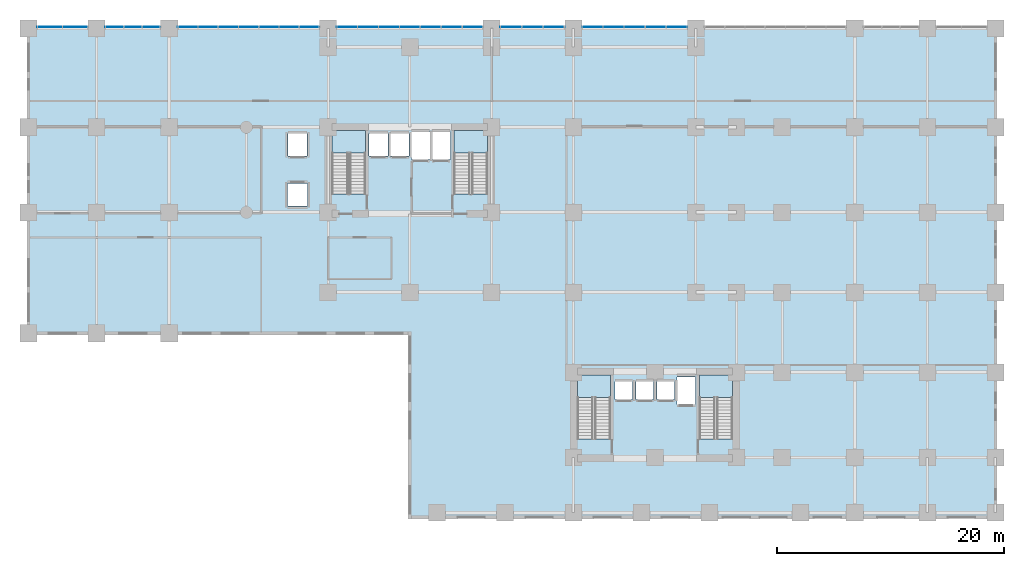
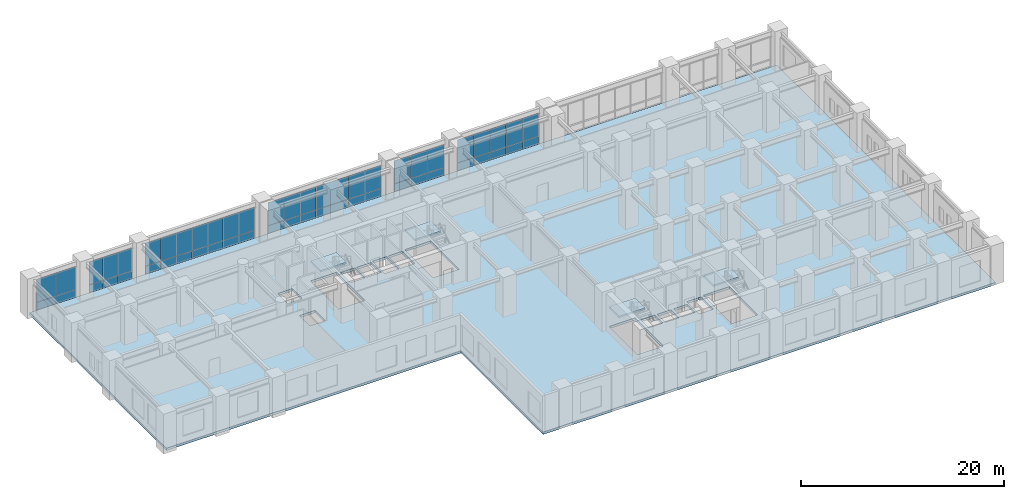
# One storey, part 13 of 22: 42 plates, 5 slabs, 10 elements without a shape of their own.
"""IFC4 building model written with IfcOpenShell, lengths in metres."""

from ifc_helpers import new_model, si_unit, direction, frame, origin, origin_2d, place, context, subcontext, project, spatial, polyline, rectangle, outline, extrude, source, transform, mapped, material, layer, layer_set, type_object, element, aggregate, save


model = new_model("IFC4")

# Units and contexts
model_context = context("Model", 3, precision=1e-05, world=origin(), true_north=direction((0.0, 1.0)))
body_context = subcontext(model_context, "Body", "Model", "MODEL_VIEW")
ifc_project = project(units=[si_unit("LENGTHUNIT", "METRE"), si_unit("AREAUNIT", "SQUARE_METRE"), si_unit("VOLUMEUNIT", "CUBIC_METRE"), si_unit("PLANEANGLEUNIT", "RADIAN"), si_unit("MASSUNIT", "GRAM", prefix="KILO")], contexts=[model_context])

# Site, building, storey
site_placement = place(None, origin())
site = spatial("IfcSite", under=ifc_project, at=site_placement, CompositionType="ELEMENT")
building_placement = place(site_placement, origin())
building = spatial("IfcBuilding", under=site, at=building_placement, Name="Kaliganga Portal Commons", CompositionType="ELEMENT")
storey_placement = place(building_placement, frame((0.0, 0.0, 10.199951171875)))
storey = spatial("IfcBuildingStorey", under=building, at=storey_placement, Name="L02", CompositionType="ELEMENT", Elevation=10.199951171875)

# Slab
ifc_material_1 = material(Name="Concrete C50/60", Category="concrete")
ifc_layer_1 = layer(ifc_material_1, 0.280029296875)
ifc_layer_set_1 = layer_set([ifc_layer_1], Name="Concrete C50/60")
slab_type_1 = type_object("IfcSlabType", Name="SLB-POD-280", PredefinedType="FLOOR", material=ifc_layer_set_1)
slab_1_placement = place(storey_placement, frame((0.0, 0.0, -0.280029296875)))
element("IfcSlab", 1, at=slab_1_placement, inside=storey, type_object=slab_type_1, Name="Structural Floor Slab L02", PredefinedType="FLOOR", context=body_context, shape_type="SweptSolid", body=[
    extrude(outline(polyline([(21.60009765625, 1.800048828125), (73.199951171875, 1.800048828125), (73.199951171875, 45.0), (-12.0, 45.0), (-12.0, 18.0), (21.60009765625, 18.0), (21.60009765625, 1.800048828125)]), holes=[polyline([(14.75, 30.25390625), (14.75, 35.85009765625), (17.699951171875, 35.85009765625), (17.699951171875, 30.25390625), (14.75, 30.25390625)]), polyline([(25.5, 30.25390625), (25.5, 35.85009765625), (28.449951171875, 35.85009765625), (28.449951171875, 30.25390625), (25.5, 30.25390625)]), polyline([(36.35009765625, 8.7041015625), (36.35009765625, 14.300048828125), (39.300048828125, 14.300048828125), (39.300048828125, 8.7041015625), (36.35009765625, 8.7041015625)]), polyline([(47.10009765625, 8.7041015625), (47.10009765625, 14.300048828125), (50.050048828125, 14.300048828125), (50.050048828125, 8.7041015625), (47.10009765625, 8.7041015625)]), polyline([(18.014892578125, 33.614990234375), (18.014892578125, 35.5849609375), (19.68505859375, 35.5849609375), (19.68505859375, 33.614990234375), (18.014892578125, 33.614990234375)]), polyline([(19.864990234375, 33.614990234375), (19.864990234375, 35.5849609375), (21.534912109375, 35.5849609375), (21.534912109375, 33.614990234375), (19.864990234375, 33.614990234375)]), polyline([(10.81494140625, 29.18994140625), (10.81494140625, 31.2099609375), (12.5849609375, 31.2099609375), (12.5849609375, 29.18994140625), (10.81494140625, 29.18994140625)]), polyline([(10.864990234375, 33.614990234375), (10.864990234375, 35.5849609375), (12.534912109375, 35.5849609375), (12.534912109375, 33.614990234375), (10.864990234375, 33.614990234375)]), polyline([(21.739990234375, 33.2900390625), (21.739990234375, 35.7099609375), (23.360107421875, 35.7099609375), (23.360107421875, 33.2900390625), (21.739990234375, 33.2900390625)]), polyline([(23.5400390625, 33.2900390625), (23.5400390625, 35.7099609375), (25.159912109375, 35.7099609375), (25.159912109375, 33.2900390625), (23.5400390625, 33.2900390625)]), polyline([(39.6650390625, 12.1650390625), (39.6650390625, 13.735107421875), (41.235107421875, 13.735107421875), (41.235107421875, 12.1650390625), (39.6650390625, 12.1650390625)]), polyline([(41.514892578125, 12.1650390625), (41.514892578125, 13.735107421875), (43.0849609375, 13.735107421875), (43.0849609375, 12.1650390625), (41.514892578125, 12.1650390625)]), polyline([(43.364990234375, 12.1650390625), (43.364990234375, 13.735107421875), (44.93505859375, 13.735107421875), (44.93505859375, 12.1650390625), (43.364990234375, 12.1650390625)]), polyline([(45.139892578125, 11.739990234375), (45.139892578125, 14.159912109375), (46.760009765625, 14.159912109375), (46.760009765625, 11.739990234375), (45.139892578125, 11.739990234375)])]), origin(), (0.0, 0.0, 1.0), 0.280029296875),
])

# Stair, slab
ifc_material_2 = material(Name="Concrete C40/50", Category="concrete")
stair_type = type_object("IfcStairType", Name="ST-CORE-DOGLEG", PredefinedType="HALF_TURN_STAIR", material=ifc_material_2)
stair_1_placement = place(storey_placement, origin())
stair_1 = element("IfcStair", 2, at=stair_1_placement, inside=storey, type_object=stair_type, Name="L02 Protected Exit Stair ST-A1", PredefinedType="HALF_TURN_STAIR")
ifc_layer_2 = layer(ifc_material_2, 0.199951171875)
ifc_layer_set_2 = layer_set([ifc_layer_2], Name="Concrete C40/50")
slab_type_2 = type_object("IfcSlabType", Name="SLB-STAIR-LND", PredefinedType="LANDING", material=ifc_layer_set_2)
slab_2_placement = place(storey_placement, frame((0.0, 0.0, 2.199951171875)))
slab_2 = element("IfcSlab", 3, at=slab_2_placement, type_object=slab_type_2, Name="ST-A1 landing 1", PredefinedType="LANDING", context=body_context, shape_type="SweptSolid", body=[
    extrude(outline(polyline([(17.699951171875, 33.889892578125), (17.699951171875, 35.85009765625), (14.75, 35.85009765625), (14.75, 33.889892578125), (17.699951171875, 33.889892578125)])), origin(), (0.0, 0.0, 1.0), 0.2001953125),
])
aggregate(stair_1, [slab_2])

stair_2_placement = place(storey_placement, origin())
stair_2 = element("IfcStair", 4, at=stair_2_placement, inside=storey, type_object=stair_type, Name="L02 Protected Exit Stair ST-A2", PredefinedType="HALF_TURN_STAIR")
slab_3_placement = place(storey_placement, frame((0.0, 0.0, 2.199951171875)))
slab_3 = element("IfcSlab", 5, at=slab_3_placement, type_object=slab_type_2, Name="ST-A2 landing 1", PredefinedType="LANDING", context=body_context, shape_type="SweptSolid", body=[
    extrude(outline(polyline([(28.449951171875, 33.889892578125), (28.449951171875, 35.85009765625), (25.5, 35.85009765625), (25.5, 33.889892578125), (28.449951171875, 33.889892578125)])), origin(), (0.0, 0.0, 1.0), 0.2001953125),
])
aggregate(stair_2, [slab_3])

stair_3_placement = place(storey_placement, origin())
stair_3 = element("IfcStair", 6, at=stair_3_placement, inside=storey, type_object=stair_type, Name="L02 Protected Exit Stair ST-B1", PredefinedType="HALF_TURN_STAIR")
slab_4_placement = place(storey_placement, frame((0.0, 0.0, 2.199951171875)))
slab_4 = element("IfcSlab", 7, at=slab_4_placement, type_object=slab_type_2, Name="ST-B1 landing 1", PredefinedType="LANDING", context=body_context, shape_type="SweptSolid", body=[
    extrude(outline(polyline([(39.300048828125, 12.340087890625), (39.300048828125, 14.300048828125), (36.35009765625, 14.300048828125), (36.35009765625, 12.340087890625), (39.300048828125, 12.340087890625)])), origin(), (0.0, 0.0, 1.0), 0.2001953125),
])
aggregate(stair_3, [slab_4])

stair_4_placement = place(storey_placement, origin())
stair_4 = element("IfcStair", 8, at=stair_4_placement, inside=storey, type_object=stair_type, Name="L02 Protected Exit Stair ST-B2", PredefinedType="HALF_TURN_STAIR")
slab_5_placement = place(storey_placement, frame((0.0, 0.0, 2.199951171875)))
slab_5 = element("IfcSlab", 9, at=slab_5_placement, type_object=slab_type_2, Name="ST-B2 landing 1", PredefinedType="LANDING", context=body_context, shape_type="SweptSolid", body=[
    extrude(outline(polyline([(50.050048828125, 12.340087890625), (50.050048828125, 14.300048828125), (47.10009765625, 14.300048828125), (47.10009765625, 12.340087890625), (50.050048828125, 12.340087890625)])), origin(), (0.0, 0.0, 1.0), 0.2001953125),
])
aggregate(stair_4, [slab_5])

# Curtain wall, plates
ifc_material_3 = material(Name="Anodized Aluminium and Laminated Low-E Glass", Category="aluminium")
ifc_layer_3 = layer(ifc_material_3, 0.219970703125)
ifc_layer_set_3 = layer_set([ifc_layer_3], Name="Anodized Aluminium and Laminated Low-E Glass")
curtain_wall_type = type_object("IfcCurtainWallType", Name="CW-SYS-01", PredefinedType="NOTDEFINED", material=ifc_layer_set_3)
curtain_wall_1_placement = place(storey_placement, origin())
curtain_wall_1 = element("IfcCurtainWall", 10, at=curtain_wall_1_placement, inside=storey, type_object=curtain_wall_type, Name="CW 01 L02 P1E02S9", PredefinedType="NOTDEFINED")
ifc_material_4 = material(Name="Insulated Dark Spandrel Panel", Category="metal")
ifc_layer_4 = layer(ifc_material_4, 0.044921875)
ifc_layer_set_4 = layer_set([ifc_layer_4], Name="Insulated Dark Spandrel Panel")
plate_type_1 = type_object("IfcPlateType", Name="PLT-SPN-45", PredefinedType="SHEET", material=ifc_layer_set_4)
shared_shape_1 = source(origin(), body_context, "Body", "SweptSolid", [
    extrude(rectangle(XDim=2.208984375, YDim=0.044921875, at=origin_2d()), origin(), (0.0, 0.0, 1.0), 0.929931640625),
])
plate_1_placement = place(storey_placement, frame((-7.87548828125, 45.0, 0.01025390625), z_axis=(0.0, 0.0, 1.0), x_axis=(-1.0, 0.0, 0.0)))
plate_1 = element("IfcPlate", 11, at=plate_1_placement, type_object=plate_type_1, Name="CW:01:L02:P1E02S9 Spandrel 00", PredefinedType="SHEET", context=body_context, shape_type="MappedRepresentation", body=[
    mapped(shared_shape_1, transform((0.0, 0.0, 0.0), x_axis=(1.0, 0.0, 0.0), y_axis=(0.0, 1.0, 0.0), z_axis=(0.0, 0.0, 1.0), scale=1.0)),
])
plate_2_placement = place(storey_placement, frame((-10.12451171875, 45.0, 0.01025390625), z_axis=(0.0, 0.0, 1.0), x_axis=(-1.0, 0.0, 0.0)))
plate_2 = element("IfcPlate", 12, at=plate_2_placement, type_object=plate_type_1, Name="CW:01:L02:P1E02S9 Spandrel 01", PredefinedType="SHEET", context=body_context, shape_type="MappedRepresentation", body=[
    mapped(shared_shape_1, transform((0.0, 0.0, 0.0), x_axis=(1.0, 0.0, 0.0), y_axis=(0.0, 1.0, 0.0), z_axis=(0.0, 0.0, 1.0), scale=1.0)),
])

curtain_wall_2_placement = place(storey_placement, origin())
curtain_wall_2 = element("IfcCurtainWall", 13, at=curtain_wall_2_placement, inside=storey, type_object=curtain_wall_type, Name="CW 01 L02 P1E02S8", PredefinedType="NOTDEFINED")
shared_shape_2 = source(origin(), body_context, "Body", "SweptSolid", [
    extrude(rectangle(XDim=1.5927734375, YDim=0.044921875, at=origin_2d()), origin(), (0.0, 0.0, 1.0), 0.929931640625),
])
plate_3_placement = place(storey_placement, frame((-1.167236328125, 45.0, 0.01025390625), z_axis=(0.0, 0.0, 1.0), x_axis=(-1.0, 0.0, 0.0)))
plate_3 = element("IfcPlate", 14, at=plate_3_placement, type_object=plate_type_1, Name="CW:01:L02:P1E02S8 Spandrel 00", PredefinedType="SHEET", context=body_context, shape_type="MappedRepresentation", body=[
    mapped(shared_shape_2, transform((0.0, 0.0, 0.0), x_axis=(1.0, 0.0, 0.0), y_axis=(0.0, 1.0, 0.0), z_axis=(0.0, 0.0, 1.0), scale=1.0)),
])
plate_4_placement = place(storey_placement, frame((-2.800048828125, 45.0, 0.01025390625), z_axis=(0.0, 0.0, 1.0), x_axis=(-1.0, 0.0, 0.0)))
plate_4 = element("IfcPlate", 15, at=plate_4_placement, type_object=plate_type_1, Name="CW:01:L02:P1E02S8 Spandrel 01", PredefinedType="SHEET", context=body_context, shape_type="MappedRepresentation", body=[
    mapped(shared_shape_2, transform((0.0, 0.0, 0.0), x_axis=(1.0, 0.0, 0.0), y_axis=(0.0, 1.0, 0.0), z_axis=(0.0, 0.0, 1.0), scale=1.0)),
])
plate_5_placement = place(storey_placement, frame((-4.4326171875, 45.0, 0.01025390625), z_axis=(0.0, 0.0, 1.0), x_axis=(-1.0, 0.0, 0.0)))
plate_5 = element("IfcPlate", 16, at=plate_5_placement, type_object=plate_type_1, Name="CW:01:L02:P1E02S8 Spandrel 02", PredefinedType="SHEET", context=body_context, shape_type="MappedRepresentation", body=[
    mapped(shared_shape_2, transform((0.0, 0.0, 0.0), x_axis=(1.0, 0.0, 0.0), y_axis=(0.0, 1.0, 0.0), z_axis=(0.0, 0.0, 1.0), scale=1.0)),
])

curtain_wall_3_placement = place(storey_placement, origin())
curtain_wall_3 = element("IfcCurtainWall", 17, at=curtain_wall_3_placement, inside=storey, type_object=curtain_wall_type, Name="CW 01 L02 P1E02S7", PredefinedType="NOTDEFINED")
shared_shape_3 = source(origin(), body_context, "Body", "SweptSolid", [
    extrude(rectangle(XDim=3.531005859375, YDim=0.044921875, at=origin_2d()), origin(), (0.0, 0.0, 1.0), 0.929931640625),
])
plate_6_placement = place(storey_placement, frame((11.863525390625, 45.0, 0.01025390625), z_axis=(0.0, 0.0, 1.0), x_axis=(-1.0, 0.0, 0.0)))
plate_6 = element("IfcPlate", 18, at=plate_6_placement, type_object=plate_type_1, Name="CW:01:L02:P1E02S7 Spandrel 00", PredefinedType="SHEET", context=body_context, shape_type="MappedRepresentation", body=[
    mapped(shared_shape_3, transform((0.0, 0.0, 0.0), x_axis=(1.0, 0.0, 0.0), y_axis=(0.0, 1.0, 0.0), z_axis=(0.0, 0.0, 1.0), scale=1.0)),
])
plate_7_placement = place(storey_placement, frame((8.292724609375, 45.0, 0.01025390625), z_axis=(0.0, 0.0, 1.0), x_axis=(-1.0, 0.0, 0.0)))
plate_7 = element("IfcPlate", 19, at=plate_7_placement, type_object=plate_type_1, Name="CW:01:L02:P1E02S7 Spandrel 02", PredefinedType="SHEET", context=body_context, shape_type="MappedRepresentation", body=[
    mapped(shared_shape_3, transform((0.0, 0.0, 0.0), x_axis=(1.0, 0.0, 0.0), y_axis=(0.0, 1.0, 0.0), z_axis=(0.0, 0.0, 1.0), scale=1.0)),
])
plate_8_placement = place(storey_placement, frame((4.721923828125, 45.0, 0.01025390625), z_axis=(0.0, 0.0, 1.0), x_axis=(-1.0, 0.0, 0.0)))
plate_8 = element("IfcPlate", 20, at=plate_8_placement, type_object=plate_type_1, Name="CW:01:L02:P1E02S7 Spandrel 04", PredefinedType="SHEET", context=body_context, shape_type="MappedRepresentation", body=[
    mapped(shared_shape_3, transform((0.0, 0.0, 0.0), x_axis=(1.0, 0.0, 0.0), y_axis=(0.0, 1.0, 0.0), z_axis=(0.0, 0.0, 1.0), scale=1.0)),
])
shared_shape_4 = source(origin(), body_context, "Body", "SweptSolid", [
    extrude(rectangle(XDim=1.745361328125, YDim=0.044921875, at=origin_2d()), origin(), (0.0, 0.0, 1.0), 0.929931640625),
])
plate_9_placement = place(storey_placement, frame((2.043701171875, 45.0, 0.01025390625), z_axis=(0.0, 0.0, 1.0), x_axis=(-1.0, 0.0, 0.0)))
plate_9 = element("IfcPlate", 21, at=plate_9_placement, type_object=plate_type_1, Name="CW:01:L02:P1E02S7 Spandrel 06", PredefinedType="SHEET", context=body_context, shape_type="MappedRepresentation", body=[
    mapped(shared_shape_4, transform((0.0, 0.0, 0.0), x_axis=(1.0, 0.0, 0.0), y_axis=(0.0, 1.0, 0.0), z_axis=(0.0, 0.0, 1.0), scale=1.0)),
])

curtain_wall_4_placement = place(storey_placement, origin())
curtain_wall_4 = element("IfcCurtainWall", 22, at=curtain_wall_4_placement, inside=storey, type_object=curtain_wall_type, Name="CW 01 L02 P1E02S4", PredefinedType="NOTDEFINED")
shared_shape_5 = source(origin(), body_context, "Body", "SweptSolid", [
    extrude(rectangle(XDim=1.819580078125, YDim=0.044921875, at=origin_2d()), origin(), (0.0, 0.0, 1.0), 0.929931640625),
])
plate_10_placement = place(storey_placement, frame((45.119140625, 45.0, 0.01025390625), z_axis=(0.0, 0.0, 1.0), x_axis=(-1.0, 0.0, 0.0)))
plate_10 = element("IfcPlate", 23, at=plate_10_placement, type_object=plate_type_1, Name="CW:01:L02:P1E02S4 Spandrel 00", PredefinedType="SHEET", context=body_context, shape_type="MappedRepresentation", body=[
    mapped(shared_shape_5, transform((0.0, 0.0, 0.0), x_axis=(1.0, 0.0, 0.0), y_axis=(0.0, 1.0, 0.0), z_axis=(0.0, 0.0, 1.0), scale=1.0)),
])
plate_11_placement = place(storey_placement, frame((43.259521484375, 45.0, 0.01025390625), z_axis=(0.0, 0.0, 1.0), x_axis=(-1.0, 0.0, 0.0)))
plate_11 = element("IfcPlate", 24, at=plate_11_placement, type_object=plate_type_1, Name="CW:01:L02:P1E02S4 Spandrel 01", PredefinedType="SHEET", context=body_context, shape_type="MappedRepresentation", body=[
    mapped(shared_shape_5, transform((0.0, 0.0, 0.0), x_axis=(1.0, 0.0, 0.0), y_axis=(0.0, 1.0, 0.0), z_axis=(0.0, 0.0, 1.0), scale=1.0)),
])
plate_12_placement = place(storey_placement, frame((41.39990234375, 45.0, 0.01025390625), z_axis=(0.0, 0.0, 1.0), x_axis=(-1.0, 0.0, 0.0)))
plate_12 = element("IfcPlate", 25, at=plate_12_placement, type_object=plate_type_1, Name="CW:01:L02:P1E02S4 Spandrel 02", PredefinedType="SHEET", context=body_context, shape_type="MappedRepresentation", body=[
    mapped(shared_shape_5, transform((0.0, 0.0, 0.0), x_axis=(1.0, 0.0, 0.0), y_axis=(0.0, 1.0, 0.0), z_axis=(0.0, 0.0, 1.0), scale=1.0)),
])
plate_13_placement = place(storey_placement, frame((39.540283203125, 45.0, 0.01025390625), z_axis=(0.0, 0.0, 1.0), x_axis=(-1.0, 0.0, 0.0)))
plate_13 = element("IfcPlate", 26, at=plate_13_placement, type_object=plate_type_1, Name="CW:01:L02:P1E02S4 Spandrel 03", PredefinedType="SHEET", context=body_context, shape_type="MappedRepresentation", body=[
    mapped(shared_shape_5, transform((0.0, 0.0, 0.0), x_axis=(1.0, 0.0, 0.0), y_axis=(0.0, 1.0, 0.0), z_axis=(0.0, 0.0, 1.0), scale=1.0)),
])
plate_14_placement = place(storey_placement, frame((37.680908203125, 45.0, 0.01025390625), z_axis=(0.0, 0.0, 1.0), x_axis=(-1.0, 0.0, 0.0)))
plate_14 = element("IfcPlate", 27, at=plate_14_placement, type_object=plate_type_1, Name="CW:01:L02:P1E02S4 Spandrel 04", PredefinedType="SHEET", context=body_context, shape_type="MappedRepresentation", body=[
    mapped(shared_shape_5, transform((0.0, 0.0, 0.0), x_axis=(1.0, 0.0, 0.0), y_axis=(0.0, 1.0, 0.0), z_axis=(0.0, 0.0, 1.0), scale=1.0)),
])

curtain_wall_5_placement = place(storey_placement, origin())
curtain_wall_5 = element("IfcCurtainWall", 28, at=curtain_wall_5_placement, inside=storey, type_object=curtain_wall_type, Name="CW 01 L02 P1E02S5", PredefinedType="NOTDEFINED")
shared_shape_6 = source(origin(), body_context, "Body", "SweptSolid", [
    extrude(rectangle(XDim=1.859375, YDim=0.044921875, at=origin_2d()), origin(), (0.0, 0.0, 1.0), 0.929931640625),
])
plate_15_placement = place(storey_placement, frame((34.29931640625, 45.0, 0.01025390625), z_axis=(0.0, 0.0, 1.0), x_axis=(-1.0, 0.0, 0.0)))
plate_15 = element("IfcPlate", 29, at=plate_15_placement, type_object=plate_type_1, Name="CW:01:L02:P1E02S5 Spandrel 00", PredefinedType="SHEET", context=body_context, shape_type="MappedRepresentation", body=[
    mapped(shared_shape_6, transform((0.0, 0.0, 0.0), x_axis=(1.0, 0.0, 0.0), y_axis=(0.0, 1.0, 0.0), z_axis=(0.0, 0.0, 1.0), scale=1.0)),
])
plate_16_placement = place(storey_placement, frame((32.39990234375, 45.0, 0.01025390625), z_axis=(0.0, 0.0, 1.0), x_axis=(-1.0, 0.0, 0.0)))
plate_16 = element("IfcPlate", 30, at=plate_16_placement, type_object=plate_type_1, Name="CW:01:L02:P1E02S5 Spandrel 01", PredefinedType="SHEET", context=body_context, shape_type="MappedRepresentation", body=[
    mapped(shared_shape_6, transform((0.0, 0.0, 0.0), x_axis=(1.0, 0.0, 0.0), y_axis=(0.0, 1.0, 0.0), z_axis=(0.0, 0.0, 1.0), scale=1.0)),
])
plate_17_placement = place(storey_placement, frame((30.500732421875, 45.0, 0.01025390625), z_axis=(0.0, 0.0, 1.0), x_axis=(-1.0, 0.0, 0.0)))
plate_17 = element("IfcPlate", 31, at=plate_17_placement, type_object=plate_type_1, Name="CW:01:L02:P1E02S5 Spandrel 02", PredefinedType="SHEET", context=body_context, shape_type="MappedRepresentation", body=[
    mapped(shared_shape_6, transform((0.0, 0.0, 0.0), x_axis=(1.0, 0.0, 0.0), y_axis=(0.0, 1.0, 0.0), z_axis=(0.0, 0.0, 1.0), scale=1.0)),
])

curtain_wall_6_placement = place(storey_placement, origin())
curtain_wall_6 = element("IfcCurtainWall", 32, at=curtain_wall_6_placement, inside=storey, type_object=curtain_wall_type, Name="CW 01 L02 P1E02S6", PredefinedType="NOTDEFINED")
shared_shape_7 = source(origin(), body_context, "Body", "SweptSolid", [
    extrude(rectangle(XDim=3.64501953125, YDim=0.044921875, at=origin_2d()), origin(), (0.0, 0.0, 1.0), 0.929931640625),
])
plate_18_placement = place(storey_placement, frame((26.206298828125, 45.0, 0.01025390625), z_axis=(0.0, 0.0, 1.0), x_axis=(-1.0, 0.0, 0.0)))
plate_18 = element("IfcPlate", 33, at=plate_18_placement, type_object=plate_type_1, Name="CW:01:L02:P1E02S6 Spandrel 00", PredefinedType="SHEET", context=body_context, shape_type="MappedRepresentation", body=[
    mapped(shared_shape_7, transform((0.0, 0.0, 0.0), x_axis=(1.0, 0.0, 0.0), y_axis=(0.0, 1.0, 0.0), z_axis=(0.0, 0.0, 1.0), scale=1.0)),
])
plate_19_placement = place(storey_placement, frame((22.521240234375, 45.0, 0.01025390625), z_axis=(0.0, 0.0, 1.0), x_axis=(-1.0, 0.0, 0.0)))
plate_19 = element("IfcPlate", 34, at=plate_19_placement, type_object=plate_type_1, Name="CW:01:L02:P1E02S6 Spandrel 02", PredefinedType="SHEET", context=body_context, shape_type="MappedRepresentation", body=[
    mapped(shared_shape_7, transform((0.0, 0.0, 0.0), x_axis=(1.0, 0.0, 0.0), y_axis=(0.0, 1.0, 0.0), z_axis=(0.0, 0.0, 1.0), scale=1.0)),
])
plate_20_placement = place(storey_placement, frame((18.836181640625, 45.0, 0.01025390625), z_axis=(0.0, 0.0, 1.0), x_axis=(-1.0, 0.0, 0.0)))
plate_20 = element("IfcPlate", 35, at=plate_20_placement, type_object=plate_type_1, Name="CW:01:L02:P1E02S6 Spandrel 04", PredefinedType="SHEET", context=body_context, shape_type="MappedRepresentation", body=[
    mapped(shared_shape_7, transform((0.0, 0.0, 0.0), x_axis=(1.0, 0.0, 0.0), y_axis=(0.0, 1.0, 0.0), z_axis=(0.0, 0.0, 1.0), scale=1.0)),
])
shared_shape_8 = source(origin(), body_context, "Body", "SweptSolid", [
    extrude(rectangle(XDim=1.802490234375, YDim=0.044921875, at=origin_2d()), origin(), (0.0, 0.0, 1.0), 0.929931640625),
])
plate_21_placement = place(storey_placement, frame((16.072265625, 45.0, 0.01025390625), z_axis=(0.0, 0.0, 1.0), x_axis=(-1.0, 0.0, 0.0)))
plate_21 = element("IfcPlate", 36, at=plate_21_placement, type_object=plate_type_1, Name="CW:01:L02:P1E02S6 Spandrel 06", PredefinedType="SHEET", context=body_context, shape_type="MappedRepresentation", body=[
    mapped(shared_shape_8, transform((0.0, 0.0, 0.0), x_axis=(1.0, 0.0, 0.0), y_axis=(0.0, 1.0, 0.0), z_axis=(0.0, 0.0, 1.0), scale=1.0)),
])

# Plate
ifc_material_5 = material(Name="Dark Solar-Control Laminated Low-E IGU", Category="glass")
ifc_layer_5 = layer(ifc_material_5, 0.028076171875)
ifc_layer_set_5 = layer_set([ifc_layer_5], Name="Dark Solar-Control Laminated Low-E IGU")
plate_type_2 = type_object("IfcPlateType", Name="PLT-GLZ-28", PredefinedType="CURTAIN_PANEL", material=ifc_layer_set_5)
shared_shape_9 = source(origin(), body_context, "Body", "SweptSolid", [
    extrude(rectangle(XDim=2.208984375, YDim=0.028076171875, at=origin_2d()), origin(), (0.0, 0.0, 1.0), 2.77001953125),
])
plate_22_placement = place(storey_placement, frame((-7.87548828125, 45.0, 0.9599609375), z_axis=(0.0, 0.0, 1.0), x_axis=(-1.0, 0.0, 0.0)))
plate_22 = element("IfcPlate", 37, at=plate_22_placement, type_object=plate_type_2, Name="CW:01:L02:P1E02S9 Vision IGU 00", PredefinedType="CURTAIN_PANEL", context=body_context, shape_type="MappedRepresentation", body=[
    mapped(shared_shape_9, transform((0.0, 0.0, 0.0), x_axis=(1.0, 0.0, 0.0), y_axis=(0.0, 1.0, 0.0), z_axis=(0.0, 0.0, 1.0), scale=1.0)),
])

plate_23_placement = place(storey_placement, frame((-10.12451171875, 45.0, 0.9599609375), z_axis=(0.0, 0.0, 1.0), x_axis=(-1.0, 0.0, 0.0)))
plate_23 = element("IfcPlate", 38, at=plate_23_placement, type_object=plate_type_2, Name="CW:01:L02:P1E02S9 Vision IGU 01", PredefinedType="CURTAIN_PANEL", context=body_context, shape_type="MappedRepresentation", body=[
    mapped(shared_shape_9, transform((0.0, 0.0, 0.0), x_axis=(1.0, 0.0, 0.0), y_axis=(0.0, 1.0, 0.0), z_axis=(0.0, 0.0, 1.0), scale=1.0)),
])

aggregate(curtain_wall_1, [plate_1, plate_22, plate_2, plate_23])

shared_shape_10 = source(origin(), body_context, "Body", "SweptSolid", [
    extrude(rectangle(XDim=1.5927734375, YDim=0.028076171875, at=origin_2d()), origin(), (0.0, 0.0, 1.0), 2.77001953125),
])
plate_24_placement = place(storey_placement, frame((-1.167236328125, 45.0, 0.9599609375), z_axis=(0.0, 0.0, 1.0), x_axis=(-1.0, 0.0, 0.0)))
plate_24 = element("IfcPlate", 39, at=plate_24_placement, type_object=plate_type_2, Name="CW:01:L02:P1E02S8 Vision IGU 00", PredefinedType="CURTAIN_PANEL", context=body_context, shape_type="MappedRepresentation", body=[
    mapped(shared_shape_10, transform((0.0, 0.0, 0.0), x_axis=(1.0, 0.0, 0.0), y_axis=(0.0, 1.0, 0.0), z_axis=(0.0, 0.0, 1.0), scale=1.0)),
])

plate_25_placement = place(storey_placement, frame((-2.800048828125, 45.0, 0.9599609375), z_axis=(0.0, 0.0, 1.0), x_axis=(-1.0, 0.0, 0.0)))
plate_25 = element("IfcPlate", 40, at=plate_25_placement, type_object=plate_type_2, Name="CW:01:L02:P1E02S8 Vision IGU 01", PredefinedType="CURTAIN_PANEL", context=body_context, shape_type="MappedRepresentation", body=[
    mapped(shared_shape_10, transform((0.0, 0.0, 0.0), x_axis=(1.0, 0.0, 0.0), y_axis=(0.0, 1.0, 0.0), z_axis=(0.0, 0.0, 1.0), scale=1.0)),
])

plate_26_placement = place(storey_placement, frame((-4.4326171875, 45.0, 0.9599609375), z_axis=(0.0, 0.0, 1.0), x_axis=(-1.0, 0.0, 0.0)))
plate_26 = element("IfcPlate", 41, at=plate_26_placement, type_object=plate_type_2, Name="CW:01:L02:P1E02S8 Vision IGU 02", PredefinedType="CURTAIN_PANEL", context=body_context, shape_type="MappedRepresentation", body=[
    mapped(shared_shape_10, transform((0.0, 0.0, 0.0), x_axis=(1.0, 0.0, 0.0), y_axis=(0.0, 1.0, 0.0), z_axis=(0.0, 0.0, 1.0), scale=1.0)),
])

aggregate(curtain_wall_2, [plate_3, plate_24, plate_4, plate_25, plate_5, plate_26])

shared_shape_11 = source(origin(), body_context, "Body", "SweptSolid", [
    extrude(rectangle(XDim=3.531005859375, YDim=0.028076171875, at=origin_2d()), origin(), (0.0, 0.0, 1.0), 2.77001953125),
])
plate_27_placement = place(storey_placement, frame((11.863525390625, 45.0, 0.9599609375), z_axis=(0.0, 0.0, 1.0), x_axis=(-1.0, 0.0, 0.0)))
plate_27 = element("IfcPlate", 42, at=plate_27_placement, type_object=plate_type_2, Name="CW:01:L02:P1E02S7 Vision IGU 00", PredefinedType="CURTAIN_PANEL", context=body_context, shape_type="MappedRepresentation", body=[
    mapped(shared_shape_11, transform((0.0, 0.0, 0.0), x_axis=(1.0, 0.0, 0.0), y_axis=(0.0, 1.0, 0.0), z_axis=(0.0, 0.0, 1.0), scale=1.0)),
])

plate_28_placement = place(storey_placement, frame((8.292724609375, 45.0, 0.9599609375), z_axis=(0.0, 0.0, 1.0), x_axis=(-1.0, 0.0, 0.0)))
plate_28 = element("IfcPlate", 43, at=plate_28_placement, type_object=plate_type_2, Name="CW:01:L02:P1E02S7 Vision IGU 02", PredefinedType="CURTAIN_PANEL", context=body_context, shape_type="MappedRepresentation", body=[
    mapped(shared_shape_11, transform((0.0, 0.0, 0.0), x_axis=(1.0, 0.0, 0.0), y_axis=(0.0, 1.0, 0.0), z_axis=(0.0, 0.0, 1.0), scale=1.0)),
])

plate_29_placement = place(storey_placement, frame((4.721923828125, 45.0, 0.9599609375), z_axis=(0.0, 0.0, 1.0), x_axis=(-1.0, 0.0, 0.0)))
plate_29 = element("IfcPlate", 44, at=plate_29_placement, type_object=plate_type_2, Name="CW:01:L02:P1E02S7 Vision IGU 04", PredefinedType="CURTAIN_PANEL", context=body_context, shape_type="MappedRepresentation", body=[
    mapped(shared_shape_11, transform((0.0, 0.0, 0.0), x_axis=(1.0, 0.0, 0.0), y_axis=(0.0, 1.0, 0.0), z_axis=(0.0, 0.0, 1.0), scale=1.0)),
])

shared_shape_12 = source(origin(), body_context, "Body", "SweptSolid", [
    extrude(rectangle(XDim=1.745361328125, YDim=0.028076171875, at=origin_2d()), origin(), (0.0, 0.0, 1.0), 2.77001953125),
])
plate_30_placement = place(storey_placement, frame((2.043701171875, 45.0, 0.9599609375), z_axis=(0.0, 0.0, 1.0), x_axis=(-1.0, 0.0, 0.0)))
plate_30 = element("IfcPlate", 45, at=plate_30_placement, type_object=plate_type_2, Name="CW:01:L02:P1E02S7 Vision IGU 06", PredefinedType="CURTAIN_PANEL", context=body_context, shape_type="MappedRepresentation", body=[
    mapped(shared_shape_12, transform((0.0, 0.0, 0.0), x_axis=(1.0, 0.0, 0.0), y_axis=(0.0, 1.0, 0.0), z_axis=(0.0, 0.0, 1.0), scale=1.0)),
])

aggregate(curtain_wall_3, [plate_6, plate_27, plate_7, plate_28, plate_8, plate_29, plate_9, plate_30])

shared_shape_13 = source(origin(), body_context, "Body", "SweptSolid", [
    extrude(rectangle(XDim=1.819580078125, YDim=0.028076171875, at=origin_2d()), origin(), (0.0, 0.0, 1.0), 2.77001953125),
])
plate_31_placement = place(storey_placement, frame((45.119140625, 45.0, 0.9599609375), z_axis=(0.0, 0.0, 1.0), x_axis=(-1.0, 0.0, 0.0)))
plate_31 = element("IfcPlate", 46, at=plate_31_placement, type_object=plate_type_2, Name="CW:01:L02:P1E02S4 Vision IGU 00", PredefinedType="CURTAIN_PANEL", context=body_context, shape_type="MappedRepresentation", body=[
    mapped(shared_shape_13, transform((0.0, 0.0, 0.0), x_axis=(1.0, 0.0, 0.0), y_axis=(0.0, 1.0, 0.0), z_axis=(0.0, 0.0, 1.0), scale=1.0)),
])

plate_32_placement = place(storey_placement, frame((43.259521484375, 45.0, 0.9599609375), z_axis=(0.0, 0.0, 1.0), x_axis=(-1.0, 0.0, 0.0)))
plate_32 = element("IfcPlate", 47, at=plate_32_placement, type_object=plate_type_2, Name="CW:01:L02:P1E02S4 Vision IGU 01", PredefinedType="CURTAIN_PANEL", context=body_context, shape_type="MappedRepresentation", body=[
    mapped(shared_shape_13, transform((0.0, 0.0, 0.0), x_axis=(1.0, 0.0, 0.0), y_axis=(0.0, 1.0, 0.0), z_axis=(0.0, 0.0, 1.0), scale=1.0)),
])

plate_33_placement = place(storey_placement, frame((41.39990234375, 45.0, 0.9599609375), z_axis=(0.0, 0.0, 1.0), x_axis=(-1.0, 0.0, 0.0)))
plate_33 = element("IfcPlate", 48, at=plate_33_placement, type_object=plate_type_2, Name="CW:01:L02:P1E02S4 Vision IGU 02", PredefinedType="CURTAIN_PANEL", context=body_context, shape_type="MappedRepresentation", body=[
    mapped(shared_shape_13, transform((0.0, 0.0, 0.0), x_axis=(1.0, 0.0, 0.0), y_axis=(0.0, 1.0, 0.0), z_axis=(0.0, 0.0, 1.0), scale=1.0)),
])

plate_34_placement = place(storey_placement, frame((39.540283203125, 45.0, 0.9599609375), z_axis=(0.0, 0.0, 1.0), x_axis=(-1.0, 0.0, 0.0)))
plate_34 = element("IfcPlate", 49, at=plate_34_placement, type_object=plate_type_2, Name="CW:01:L02:P1E02S4 Vision IGU 03", PredefinedType="CURTAIN_PANEL", context=body_context, shape_type="MappedRepresentation", body=[
    mapped(shared_shape_13, transform((0.0, 0.0, 0.0), x_axis=(1.0, 0.0, 0.0), y_axis=(0.0, 1.0, 0.0), z_axis=(0.0, 0.0, 1.0), scale=1.0)),
])

plate_35_placement = place(storey_placement, frame((37.680908203125, 45.0, 0.9599609375), z_axis=(0.0, 0.0, 1.0), x_axis=(-1.0, 0.0, 0.0)))
plate_35 = element("IfcPlate", 50, at=plate_35_placement, type_object=plate_type_2, Name="CW:01:L02:P1E02S4 Vision IGU 04", PredefinedType="CURTAIN_PANEL", context=body_context, shape_type="MappedRepresentation", body=[
    mapped(shared_shape_13, transform((0.0, 0.0, 0.0), x_axis=(1.0, 0.0, 0.0), y_axis=(0.0, 1.0, 0.0), z_axis=(0.0, 0.0, 1.0), scale=1.0)),
])

aggregate(curtain_wall_4, [plate_10, plate_31, plate_11, plate_32, plate_12, plate_33, plate_13, plate_34, plate_14, plate_35])

shared_shape_14 = source(origin(), body_context, "Body", "SweptSolid", [
    extrude(rectangle(XDim=1.859375, YDim=0.028076171875, at=origin_2d()), origin(), (0.0, 0.0, 1.0), 2.77001953125),
])
plate_36_placement = place(storey_placement, frame((34.29931640625, 45.0, 0.9599609375), z_axis=(0.0, 0.0, 1.0), x_axis=(-1.0, 0.0, 0.0)))
plate_36 = element("IfcPlate", 51, at=plate_36_placement, type_object=plate_type_2, Name="CW:01:L02:P1E02S5 Vision IGU 00", PredefinedType="CURTAIN_PANEL", context=body_context, shape_type="MappedRepresentation", body=[
    mapped(shared_shape_14, transform((0.0, 0.0, 0.0), x_axis=(1.0, 0.0, 0.0), y_axis=(0.0, 1.0, 0.0), z_axis=(0.0, 0.0, 1.0), scale=1.0)),
])

plate_37_placement = place(storey_placement, frame((32.39990234375, 45.0, 0.9599609375), z_axis=(0.0, 0.0, 1.0), x_axis=(-1.0, 0.0, 0.0)))
plate_37 = element("IfcPlate", 52, at=plate_37_placement, type_object=plate_type_2, Name="CW:01:L02:P1E02S5 Vision IGU 01", PredefinedType="CURTAIN_PANEL", context=body_context, shape_type="MappedRepresentation", body=[
    mapped(shared_shape_14, transform((0.0, 0.0, 0.0), x_axis=(1.0, 0.0, 0.0), y_axis=(0.0, 1.0, 0.0), z_axis=(0.0, 0.0, 1.0), scale=1.0)),
])

plate_38_placement = place(storey_placement, frame((30.500732421875, 45.0, 0.9599609375), z_axis=(0.0, 0.0, 1.0), x_axis=(-1.0, 0.0, 0.0)))
plate_38 = element("IfcPlate", 53, at=plate_38_placement, type_object=plate_type_2, Name="CW:01:L02:P1E02S5 Vision IGU 02", PredefinedType="CURTAIN_PANEL", context=body_context, shape_type="MappedRepresentation", body=[
    mapped(shared_shape_14, transform((0.0, 0.0, 0.0), x_axis=(1.0, 0.0, 0.0), y_axis=(0.0, 1.0, 0.0), z_axis=(0.0, 0.0, 1.0), scale=1.0)),
])

aggregate(curtain_wall_5, [plate_15, plate_36, plate_16, plate_37, plate_17, plate_38])

shared_shape_15 = source(origin(), body_context, "Body", "SweptSolid", [
    extrude(rectangle(XDim=3.64501953125, YDim=0.028076171875, at=origin_2d()), origin(), (0.0, 0.0, 1.0), 2.77001953125),
])
plate_39_placement = place(storey_placement, frame((26.206298828125, 45.0, 0.9599609375), z_axis=(0.0, 0.0, 1.0), x_axis=(-1.0, 0.0, 0.0)))
plate_39 = element("IfcPlate", 54, at=plate_39_placement, type_object=plate_type_2, Name="CW:01:L02:P1E02S6 Vision IGU 00", PredefinedType="CURTAIN_PANEL", context=body_context, shape_type="MappedRepresentation", body=[
    mapped(shared_shape_15, transform((0.0, 0.0, 0.0), x_axis=(1.0, 0.0, 0.0), y_axis=(0.0, 1.0, 0.0), z_axis=(0.0, 0.0, 1.0), scale=1.0)),
])

plate_40_placement = place(storey_placement, frame((22.521240234375, 45.0, 0.9599609375), z_axis=(0.0, 0.0, 1.0), x_axis=(-1.0, 0.0, 0.0)))
plate_40 = element("IfcPlate", 55, at=plate_40_placement, type_object=plate_type_2, Name="CW:01:L02:P1E02S6 Vision IGU 02", PredefinedType="CURTAIN_PANEL", context=body_context, shape_type="MappedRepresentation", body=[
    mapped(shared_shape_15, transform((0.0, 0.0, 0.0), x_axis=(1.0, 0.0, 0.0), y_axis=(0.0, 1.0, 0.0), z_axis=(0.0, 0.0, 1.0), scale=1.0)),
])

plate_41_placement = place(storey_placement, frame((18.836181640625, 45.0, 0.9599609375), z_axis=(0.0, 0.0, 1.0), x_axis=(-1.0, 0.0, 0.0)))
plate_41 = element("IfcPlate", 56, at=plate_41_placement, type_object=plate_type_2, Name="CW:01:L02:P1E02S6 Vision IGU 04", PredefinedType="CURTAIN_PANEL", context=body_context, shape_type="MappedRepresentation", body=[
    mapped(shared_shape_15, transform((0.0, 0.0, 0.0), x_axis=(1.0, 0.0, 0.0), y_axis=(0.0, 1.0, 0.0), z_axis=(0.0, 0.0, 1.0), scale=1.0)),
])

shared_shape_16 = source(origin(), body_context, "Body", "SweptSolid", [
    extrude(rectangle(XDim=1.802490234375, YDim=0.028076171875, at=origin_2d()), origin(), (0.0, 0.0, 1.0), 2.77001953125),
])
plate_42_placement = place(storey_placement, frame((16.072265625, 45.0, 0.9599609375), z_axis=(0.0, 0.0, 1.0), x_axis=(-1.0, 0.0, 0.0)))
plate_42 = element("IfcPlate", 57, at=plate_42_placement, type_object=plate_type_2, Name="CW:01:L02:P1E02S6 Vision IGU 06", PredefinedType="CURTAIN_PANEL", context=body_context, shape_type="MappedRepresentation", body=[
    mapped(shared_shape_16, transform((0.0, 0.0, 0.0), x_axis=(1.0, 0.0, 0.0), y_axis=(0.0, 1.0, 0.0), z_axis=(0.0, 0.0, 1.0), scale=1.0)),
])

aggregate(curtain_wall_6, [plate_18, plate_39, plate_19, plate_40, plate_20, plate_41, plate_21, plate_42])

save(model, "model.ifc")
